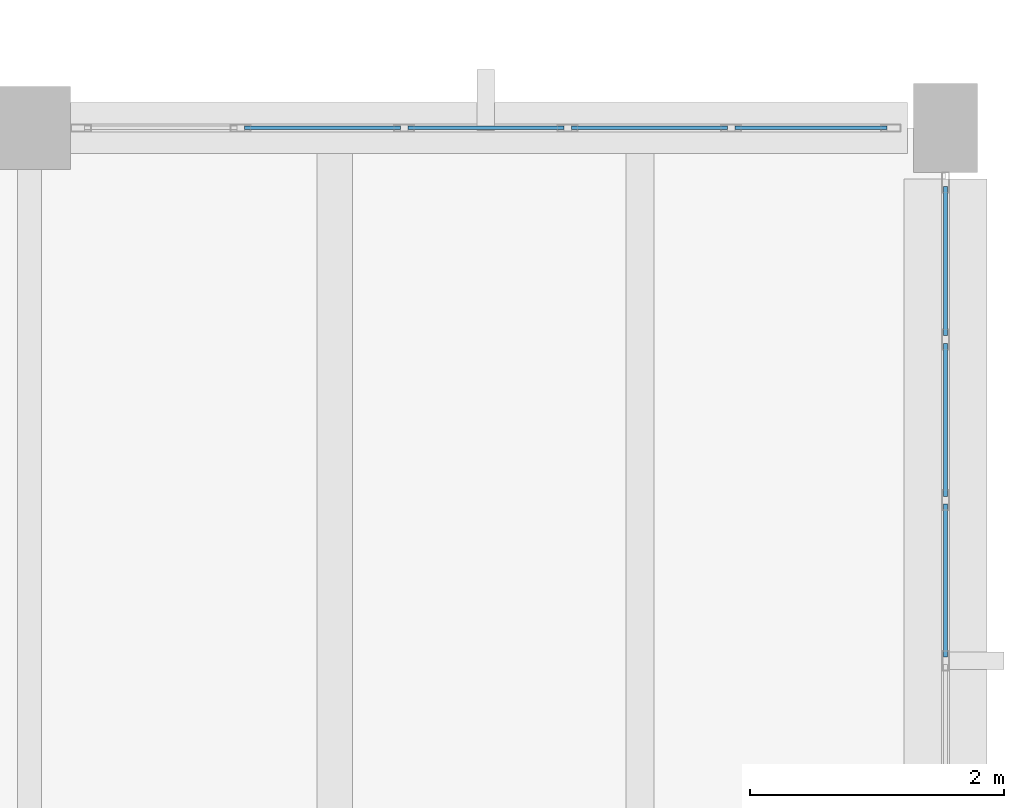
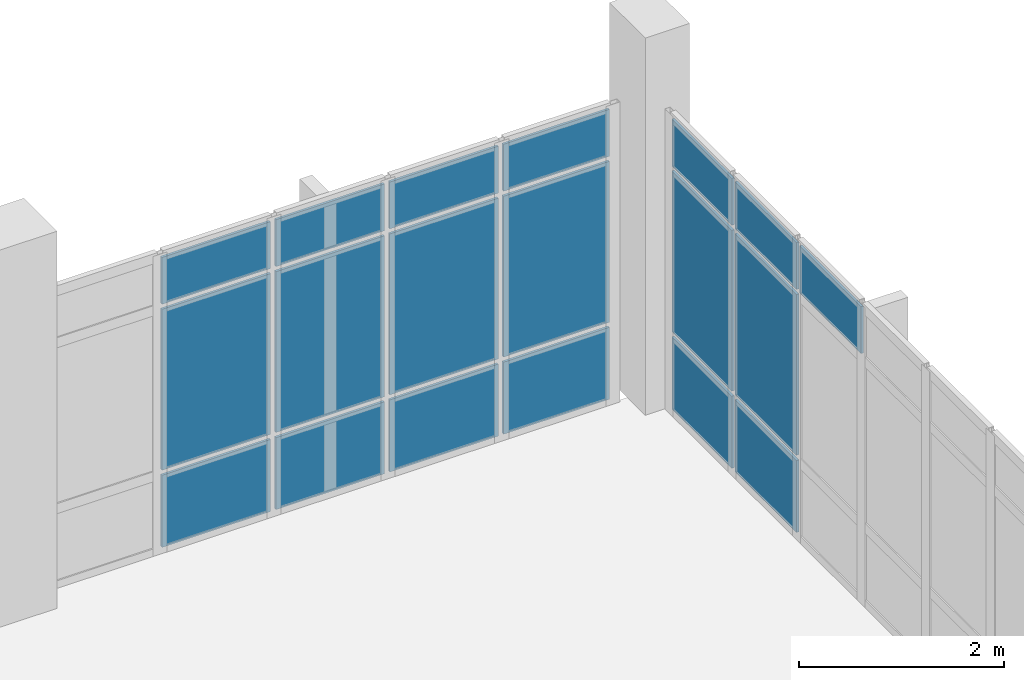
# One storey, part 99 of 116: 19 plates, 2 elements without a shape of their own.
"""IFC4 building model written with IfcOpenShell, lengths in metres."""

from ifc_helpers import new_model, si_unit, direction, frame, origin, origin_2d, place, context, subcontext, project, spatial, rectangle, extrude, material, layer, layer_set, type_object, element, aggregate, save


model = new_model("IFC4")

# Units and contexts
model_context = context("Model", 3, precision=1e-05, world=origin(), true_north=direction((0.0, 1.0)))
body_context = subcontext(model_context, "Body", "Model", "MODEL_VIEW")
ifc_project = project(units=[si_unit("LENGTHUNIT", "METRE"), si_unit("AREAUNIT", "SQUARE_METRE"), si_unit("VOLUMEUNIT", "CUBIC_METRE"), si_unit("PLANEANGLEUNIT", "RADIAN"), si_unit("MASSUNIT", "GRAM", prefix="KILO")], contexts=[model_context])

# Site, building, storey
site_placement = place(None, origin())
site = spatial("IfcSite", under=ifc_project, at=site_placement, CompositionType="ELEMENT")
building_placement = place(site_placement, origin())
building = spatial("IfcBuilding", under=site, at=building_placement, Name="Kalluvel Institute of Natural Sciences", CompositionType="ELEMENT")
storey_placement = place(building_placement, frame((0.0, 0.0, 14.39990234375)))
storey = spatial("IfcBuildingStorey", under=building, at=storey_placement, Name="L03", CompositionType="ELEMENT", Elevation=14.39990234375)

# Curtain wall, plates
ifc_material_1 = material(Name="Aluminium AW-6063 T6", Category="aluminium")
curtain_wall_type = type_object("IfcCurtainWallType", Name="CW-WET-45", PredefinedType="USERDEFINED", material=ifc_material_1)
curtain_wall_1_placement = place(storey_placement, origin())
curtain_wall_1 = element("IfcCurtainWall", 1, at=curtain_wall_1_placement, inside=storey, type_object=curtain_wall_type, Name="L03 Gothic lancet curtain wall CWA-L03-X1080-Y1280", ObjectType="UNITISED LANCET FACADE", PredefinedType="USERDEFINED")
ifc_material_2 = material(Name="Solar-Control Low-E Laminated Glass", Category="glass")
ifc_layer = layer(ifc_material_2, 0.028076171875)
ifc_layer_set = layer_set([ifc_layer], Name="Solar-Control Low-E Laminated Glass")
plate_type = type_object("IfcPlateType", Name="CWP-DGU-28", PredefinedType="CURTAIN_PANEL", material=ifc_layer_set)
plate_1_placement = place(storey_placement, frame((109.902587890625, 128.0, 0.06005859375), z_axis=(0.0, 0.0, 1.0), x_axis=(1.0, 0.0, 0.0)))
plate_1 = element("IfcPlate", 2, at=plate_1_placement, type_object=plate_type, Name="CW-01 panel 2.1", PredefinedType="CURTAIN_PANEL", context=body_context, shape_type="SweptSolid", body=[
    extrude(rectangle(XDim=1.22509765625, YDim=0.028076171875, at=origin_2d()), origin(), (0.0, 0.0, 1.0), 0.860107421875),
])
plate_2_placement = place(storey_placement, frame((109.902587890625, 128.0, 0.980224609375), z_axis=(0.0, 0.0, 1.0), x_axis=(1.0, 0.0, 0.0)))
plate_2 = element("IfcPlate", 3, at=plate_2_placement, type_object=plate_type, Name="CW-01 panel 2.2", PredefinedType="CURTAIN_PANEL", context=body_context, shape_type="SweptSolid", body=[
    extrude(rectangle(XDim=1.22509765625, YDim=0.028076171875, at=origin_2d()), origin(), (0.0, 0.0, 1.0), 1.919921875),
])
plate_3_placement = place(storey_placement, frame((109.902587890625, 128.0, 2.9599609375), z_axis=(0.0, 0.0, 1.0), x_axis=(1.0, 0.0, 0.0)))
plate_3 = element("IfcPlate", 4, at=plate_3_placement, type_object=plate_type, Name="CW-01 panel 2.3", PredefinedType="CURTAIN_PANEL", context=body_context, shape_type="SweptSolid", body=[
    extrude(rectangle(XDim=1.22509765625, YDim=0.028076171875, at=origin_2d()), origin(), (0.0, 0.0, 1.0), 0.56005859375),
])
plate_4_placement = place(storey_placement, frame((111.1875, 128.0, 0.06005859375), z_axis=(0.0, 0.0, 1.0), x_axis=(1.0, 0.0, 0.0)))
plate_4 = element("IfcPlate", 5, at=plate_4_placement, type_object=plate_type, Name="CW-01 panel 3.1", PredefinedType="CURTAIN_PANEL", context=body_context, shape_type="SweptSolid", body=[
    extrude(rectangle(XDim=1.22509765625, YDim=0.028076171875, at=origin_2d()), origin(), (0.0, 0.0, 1.0), 0.860107421875),
])
plate_5_placement = place(storey_placement, frame((111.1875, 128.0, 0.980224609375), z_axis=(0.0, 0.0, 1.0), x_axis=(1.0, 0.0, 0.0)))
plate_5 = element("IfcPlate", 6, at=plate_5_placement, type_object=plate_type, Name="CW-01 panel 3.2", PredefinedType="CURTAIN_PANEL", context=body_context, shape_type="SweptSolid", body=[
    extrude(rectangle(XDim=1.22509765625, YDim=0.028076171875, at=origin_2d()), origin(), (0.0, 0.0, 1.0), 1.919921875),
])
plate_6_placement = place(storey_placement, frame((111.1875, 128.0, 2.9599609375), z_axis=(0.0, 0.0, 1.0), x_axis=(1.0, 0.0, 0.0)))
plate_6 = element("IfcPlate", 7, at=plate_6_placement, type_object=plate_type, Name="CW-01 panel 3.3", PredefinedType="CURTAIN_PANEL", context=body_context, shape_type="SweptSolid", body=[
    extrude(rectangle(XDim=1.22509765625, YDim=0.028076171875, at=origin_2d()), origin(), (0.0, 0.0, 1.0), 0.56005859375),
])
plate_7_placement = place(storey_placement, frame((112.472412109375, 128.0, 0.06005859375), z_axis=(0.0, 0.0, 1.0), x_axis=(1.0, 0.0, 0.0)))
plate_7 = element("IfcPlate", 8, at=plate_7_placement, type_object=plate_type, Name="CW-01 panel 4.1", PredefinedType="CURTAIN_PANEL", context=body_context, shape_type="SweptSolid", body=[
    extrude(rectangle(XDim=1.22509765625, YDim=0.028076171875, at=origin_2d()), origin(), (0.0, 0.0, 1.0), 0.860107421875),
])
plate_8_placement = place(storey_placement, frame((112.472412109375, 128.0, 0.980224609375), z_axis=(0.0, 0.0, 1.0), x_axis=(1.0, 0.0, 0.0)))
plate_8 = element("IfcPlate", 9, at=plate_8_placement, type_object=plate_type, Name="CW-01 panel 4.2", PredefinedType="CURTAIN_PANEL", context=body_context, shape_type="SweptSolid", body=[
    extrude(rectangle(XDim=1.22509765625, YDim=0.028076171875, at=origin_2d()), origin(), (0.0, 0.0, 1.0), 1.919921875),
])
plate_9_placement = place(storey_placement, frame((112.472412109375, 128.0, 2.9599609375), z_axis=(0.0, 0.0, 1.0), x_axis=(1.0, 0.0, 0.0)))
plate_9 = element("IfcPlate", 10, at=plate_9_placement, type_object=plate_type, Name="CW-01 panel 4.3", PredefinedType="CURTAIN_PANEL", context=body_context, shape_type="SweptSolid", body=[
    extrude(rectangle(XDim=1.22509765625, YDim=0.028076171875, at=origin_2d()), origin(), (0.0, 0.0, 1.0), 0.56005859375),
])
plate_10_placement = place(storey_placement, frame((113.742431640625, 128.0, 0.06005859375), z_axis=(0.0, 0.0, 1.0), x_axis=(1.0, 0.0, 0.0)))
plate_10 = element("IfcPlate", 11, at=plate_10_placement, type_object=plate_type, Name="CW-01 panel 5.1", PredefinedType="CURTAIN_PANEL", context=body_context, shape_type="SweptSolid", body=[
    extrude(rectangle(XDim=1.195068359375, YDim=0.028076171875, at=origin_2d()), origin(), (0.0, 0.0, 1.0), 0.860107421875),
])
plate_11_placement = place(storey_placement, frame((113.742431640625, 128.0, 0.980224609375), z_axis=(0.0, 0.0, 1.0), x_axis=(1.0, 0.0, 0.0)))
plate_11 = element("IfcPlate", 12, at=plate_11_placement, type_object=plate_type, Name="CW-01 panel 5.2", PredefinedType="CURTAIN_PANEL", context=body_context, shape_type="SweptSolid", body=[
    extrude(rectangle(XDim=1.195068359375, YDim=0.028076171875, at=origin_2d()), origin(), (0.0, 0.0, 1.0), 1.919921875),
])
plate_12_placement = place(storey_placement, frame((113.742431640625, 128.0, 2.9599609375), z_axis=(0.0, 0.0, 1.0), x_axis=(1.0, 0.0, 0.0)))
plate_12 = element("IfcPlate", 13, at=plate_12_placement, type_object=plate_type, Name="CW-01 panel 5.3", PredefinedType="CURTAIN_PANEL", context=body_context, shape_type="SweptSolid", body=[
    extrude(rectangle(XDim=1.195068359375, YDim=0.028076171875, at=origin_2d()), origin(), (0.0, 0.0, 1.0), 0.56005859375),
])
aggregate(curtain_wall_1, [plate_1, plate_2, plate_3, plate_4, plate_5, plate_6, plate_7, plate_8, plate_9, plate_10, plate_11, plate_12])

curtain_wall_2_placement = place(storey_placement, origin())
curtain_wall_2 = element("IfcCurtainWall", 14, at=curtain_wall_2_placement, inside=storey, type_object=curtain_wall_type, Name="L03 Gothic lancet curtain wall CWA-L03-X1148-Y1200", ObjectType="UNITISED LANCET FACADE", PredefinedType="USERDEFINED")
plate_13_placement = place(storey_placement, frame((114.800048828125, 124.44384765625, 2.9599609375), z_axis=(0.0, 0.0, 1.0), x_axis=(0.0, 1.0, 0.0)))
plate_13 = element("IfcPlate", 15, at=plate_13_placement, type_object=plate_type, Name="CW-01 panel 4.3", PredefinedType="CURTAIN_PANEL", context=body_context, shape_type="SweptSolid", body=[
    extrude(rectangle(XDim=1.202392578125, YDim=0.028076171875, at=origin_2d()), origin(), (0.0, 0.0, 1.0), 0.56005859375),
])
plate_14_placement = place(storey_placement, frame((114.800048828125, 125.706298828125, 0.06005859375), z_axis=(0.0, 0.0, 1.0), x_axis=(0.0, 1.0, 0.0)))
plate_14 = element("IfcPlate", 16, at=plate_14_placement, type_object=plate_type, Name="CW-01 panel 5.1", PredefinedType="CURTAIN_PANEL", context=body_context, shape_type="SweptSolid", body=[
    extrude(rectangle(XDim=1.202392578125, YDim=0.028076171875, at=origin_2d()), origin(), (0.0, 0.0, 1.0), 0.860107421875),
])
plate_15_placement = place(storey_placement, frame((114.800048828125, 125.706298828125, 0.980224609375), z_axis=(0.0, 0.0, 1.0), x_axis=(0.0, 1.0, 0.0)))
plate_15 = element("IfcPlate", 17, at=plate_15_placement, type_object=plate_type, Name="CW-01 panel 5.2", PredefinedType="CURTAIN_PANEL", context=body_context, shape_type="SweptSolid", body=[
    extrude(rectangle(XDim=1.202392578125, YDim=0.028076171875, at=origin_2d()), origin(), (0.0, 0.0, 1.0), 1.919921875),
])
plate_16_placement = place(storey_placement, frame((114.800048828125, 125.706298828125, 2.9599609375), z_axis=(0.0, 0.0, 1.0), x_axis=(0.0, 1.0, 0.0)))
plate_16 = element("IfcPlate", 18, at=plate_16_placement, type_object=plate_type, Name="CW-01 panel 5.3", PredefinedType="CURTAIN_PANEL", context=body_context, shape_type="SweptSolid", body=[
    extrude(rectangle(XDim=1.202392578125, YDim=0.028076171875, at=origin_2d()), origin(), (0.0, 0.0, 1.0), 0.56005859375),
])
plate_17_placement = place(storey_placement, frame((114.800048828125, 126.953857421875, 0.06005859375), z_axis=(0.0, 0.0, 1.0), x_axis=(0.0, 1.0, 0.0)))
plate_17 = element("IfcPlate", 19, at=plate_17_placement, type_object=plate_type, Name="CW-01 panel 6.1", PredefinedType="CURTAIN_PANEL", context=body_context, shape_type="SweptSolid", body=[
    extrude(rectangle(XDim=1.172607421875, YDim=0.028076171875, at=origin_2d()), origin(), (0.0, 0.0, 1.0), 0.860107421875),
])
plate_18_placement = place(storey_placement, frame((114.800048828125, 126.953857421875, 0.980224609375), z_axis=(0.0, 0.0, 1.0), x_axis=(0.0, 1.0, 0.0)))
plate_18 = element("IfcPlate", 20, at=plate_18_placement, type_object=plate_type, Name="CW-01 panel 6.2", PredefinedType="CURTAIN_PANEL", context=body_context, shape_type="SweptSolid", body=[
    extrude(rectangle(XDim=1.172607421875, YDim=0.028076171875, at=origin_2d()), origin(), (0.0, 0.0, 1.0), 1.919921875),
])
plate_19_placement = place(storey_placement, frame((114.800048828125, 126.953857421875, 2.9599609375), z_axis=(0.0, 0.0, 1.0), x_axis=(0.0, 1.0, 0.0)))
plate_19 = element("IfcPlate", 21, at=plate_19_placement, type_object=plate_type, Name="CW-01 panel 6.3", PredefinedType="CURTAIN_PANEL", context=body_context, shape_type="SweptSolid", body=[
    extrude(rectangle(XDim=1.172607421875, YDim=0.028076171875, at=origin_2d()), origin(), (0.0, 0.0, 1.0), 0.56005859375),
])
aggregate(curtain_wall_2, [plate_13, plate_14, plate_15, plate_16, plate_17, plate_18, plate_19])

save(model, "model.ifc")
